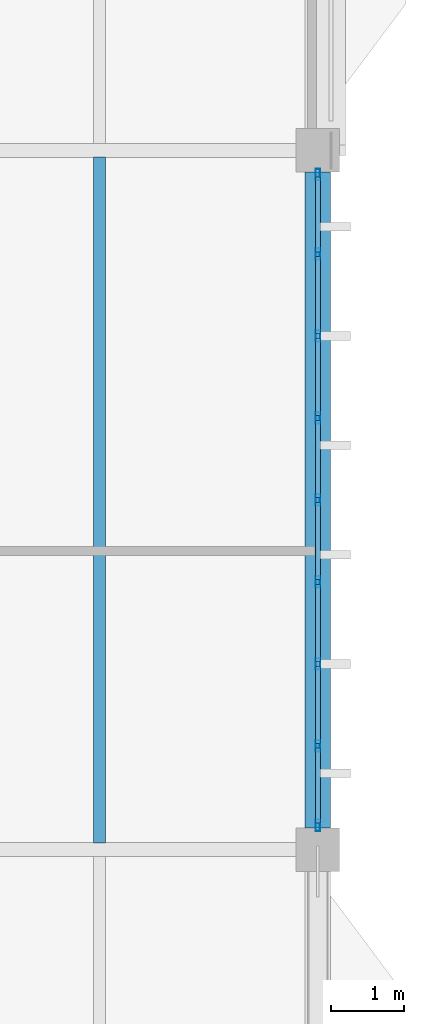
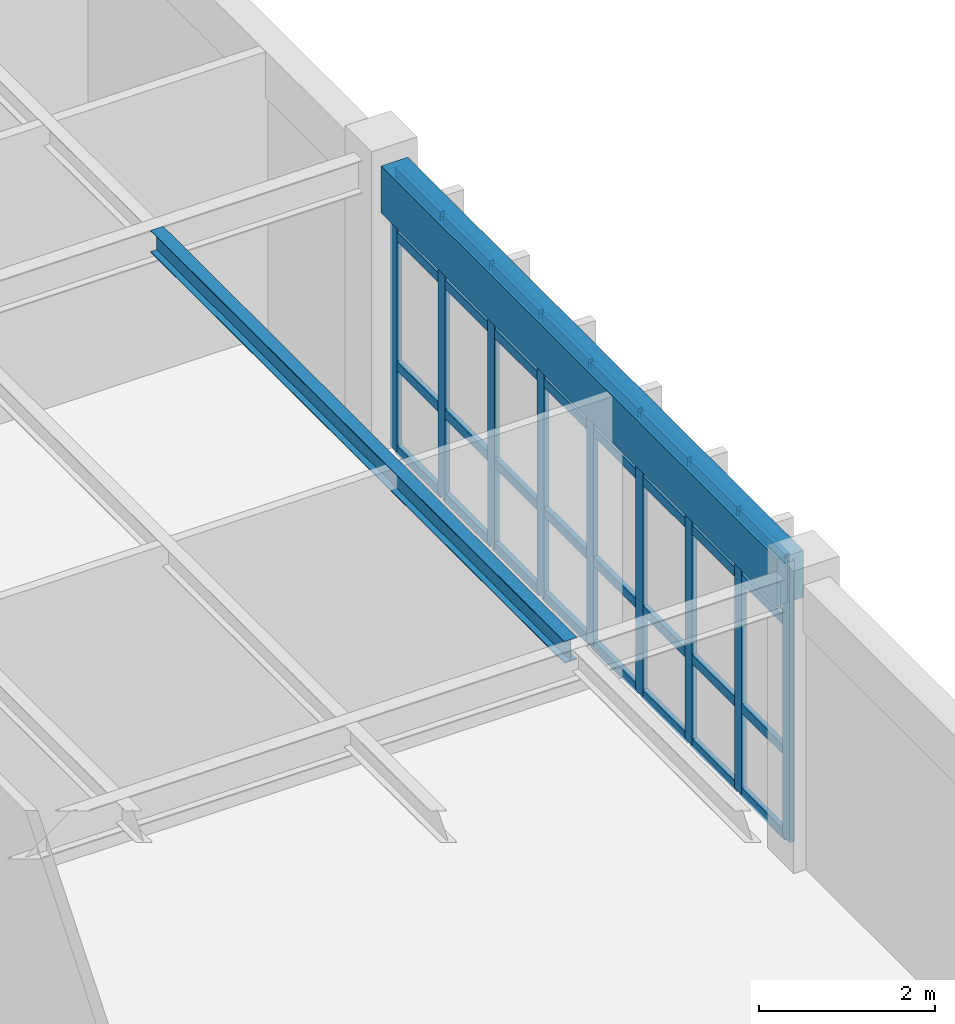
# One storey, part 14 of 37: 41 members, 2 beams, 1 element without a shape of its own.
"""IFC4 building model written with IfcOpenShell, lengths in metres."""

from ifc_helpers import new_model, si_unit, direction, frame, origin, origin_2d, place, context, subcontext, project, spatial, rectangle, hollow_rectangle, i_section, extrude, material, layer, layer_set, material_profile, profile_set, type_object, element, aggregate, save


model = new_model("IFC4")

# Units and contexts
model_context = context("Model", 3, precision=1e-05, world=origin(), true_north=direction((0.0, 1.0)))
body_context = subcontext(model_context, "Body", "Model", "MODEL_VIEW")
ifc_project = project(units=[si_unit("LENGTHUNIT", "METRE"), si_unit("AREAUNIT", "SQUARE_METRE"), si_unit("VOLUMEUNIT", "CUBIC_METRE"), si_unit("PLANEANGLEUNIT", "RADIAN"), si_unit("MASSUNIT", "GRAM", prefix="KILO")], contexts=[model_context])

# Site, building, storey
site_placement = place(None, origin())
site = spatial("IfcSite", under=ifc_project, at=site_placement, CompositionType="ELEMENT")
building_placement = place(site_placement, origin())
building = spatial("IfcBuilding", under=site, at=building_placement, Name="Pandanus Reach Market Hall", CompositionType="ELEMENT")
storey_placement = place(building_placement, frame((0.0, 0.0, 14.39990234375)))
storey = spatial("IfcBuildingStorey", under=building, at=storey_placement, Name="L03", CompositionType="ELEMENT", Elevation=14.39990234375)

# Beam
ifc_material_1 = material(Name="Concrete N40 (40 MPa)", Category="concrete")
ifc_material_profile_1 = material_profile(ifc_material_1, rectangle(XDim=0.35009765625, YDim=0.64990234375, at=origin_2d()), Name="RC350x650", Category="LoadBearing")
ifc_profile_set_1 = profile_set([ifc_material_profile_1], Name="Concrete N40 (40 MPa)")
beam_type_1 = type_object("IfcBeamType", Name="BM-RC350-E", PredefinedType="SPANDREL", material=ifc_profile_set_1)
beam_1_placement = place(storey_placement, frame((180.0, 48.298095703125, 3.635009765625), z_axis=(0.0, 1.0, 0.0), x_axis=(-1.0, 0.0, 0.0)))
element("IfcBeam", 1, at=beam_1_placement, inside=storey, type_object=beam_type_1, Name="Framing beam BM-RC350-E L03.571", PredefinedType="SPANDREL", context=body_context, shape_type="SweptSolid", body=[
    extrude(rectangle(XDim=0.35009765625, YDim=0.64990234375, at=origin_2d()), origin(), (0.0, 0.0, 1.0), 9.00390625),
])

# Curtain wall, members
ifc_material_2 = material(Name="Bronze anodised aluminium and low-E glass", Category="aluminium")
ifc_layer = layer(ifc_material_2, 0.159912109375, Name="CW-34")
ifc_layer_set = layer_set([ifc_layer], Name="Bronze anodised aluminium and low-E glass")
curtain_wall_type = type_object("IfcCurtainWallType", Name="CW-34", PredefinedType="NOTDEFINED", material=ifc_layer_set)
curtain_wall_placement = place(storey_placement, origin())
curtain_wall = element("IfcCurtainWall", 2, at=curtain_wall_placement, inside=storey, type_object=curtain_wall_type, Name="Glazed curtain wall CW-34 CW-0121", PredefinedType="NOTDEFINED")
ifc_material_3 = material(Name="Bronze anodised aluminium", Category="aluminium")
ifc_material_profile_2 = material_profile(ifc_material_3, hollow_rectangle(XDim=0.06494140625, YDim=0.159912109375, WallThickness=0.00390625, at=origin_2d()), Name="ALU65x160", Category="LoadBearing")
ifc_profile_set_2 = profile_set([ifc_material_profile_2], Name="Bronze anodised aluminium")
member_type_1 = type_object("IfcMemberType", Name="CW-M1", PredefinedType="MULLION", material=ifc_profile_set_2)
member_1_placement = place(storey_placement, frame((180.0, 48.33251953125, 0.0), z_axis=(0.0, 0.0, 1.0), x_axis=(-1.0, 0.0, 0.0)))
member_1 = element("IfcMember", 3, at=member_1_placement, type_object=member_type_1, Name="CW-34 mullion 1", PredefinedType="MULLION", context=body_context, shape_type="SweptSolid", body=[
    extrude(hollow_rectangle(XDim=0.06494140625, YDim=0.159912109375, WallThickness=0.00390625, at=origin_2d()), origin(), (0.0, 0.0, 1.0), 3.900146484375),
])
member_2_placement = place(storey_placement, frame((180.0, 49.425048828125, 0.0), z_axis=(0.0, 0.0, 1.0), x_axis=(-1.0, 0.0, 0.0)))
member_2 = element("IfcMember", 4, at=member_2_placement, type_object=member_type_1, Name="CW-34 mullion 2", PredefinedType="MULLION", context=body_context, shape_type="SweptSolid", body=[
    extrude(hollow_rectangle(XDim=0.06494140625, YDim=0.159912109375, WallThickness=0.00390625, at=origin_2d()), origin(), (0.0, 0.0, 1.0), 3.900146484375),
])
member_3_placement = place(storey_placement, frame((180.0, 50.550048828125, 0.0), z_axis=(0.0, 0.0, 1.0), x_axis=(-1.0, 0.0, 0.0)))
member_3 = element("IfcMember", 5, at=member_3_placement, type_object=member_type_1, Name="CW-34 mullion 3", PredefinedType="MULLION", context=body_context, shape_type="SweptSolid", body=[
    extrude(hollow_rectangle(XDim=0.06494140625, YDim=0.159912109375, WallThickness=0.00390625, at=origin_2d()), origin(), (0.0, 0.0, 1.0), 3.900146484375),
])
member_4_placement = place(storey_placement, frame((180.0, 51.675048828125, 0.0), z_axis=(0.0, 0.0, 1.0), x_axis=(-1.0, 0.0, 0.0)))
member_4 = element("IfcMember", 6, at=member_4_placement, type_object=member_type_1, Name="CW-34 mullion 4", PredefinedType="MULLION", context=body_context, shape_type="SweptSolid", body=[
    extrude(hollow_rectangle(XDim=0.06494140625, YDim=0.159912109375, WallThickness=0.00390625, at=origin_2d()), origin(), (0.0, 0.0, 1.0), 3.900146484375),
])
member_5_placement = place(storey_placement, frame((180.0, 52.800048828125, 0.0), z_axis=(0.0, 0.0, 1.0), x_axis=(-1.0, 0.0, 0.0)))
member_5 = element("IfcMember", 7, at=member_5_placement, type_object=member_type_1, Name="CW-34 mullion 5", PredefinedType="MULLION", context=body_context, shape_type="SweptSolid", body=[
    extrude(hollow_rectangle(XDim=0.06494140625, YDim=0.159912109375, WallThickness=0.00390625, at=origin_2d()), origin(), (0.0, 0.0, 1.0), 3.900146484375),
])
member_6_placement = place(storey_placement, frame((180.0, 53.925048828125, 0.0), z_axis=(0.0, 0.0, 1.0), x_axis=(-1.0, 0.0, 0.0)))
member_6 = element("IfcMember", 8, at=member_6_placement, type_object=member_type_1, Name="CW-34 mullion 6", PredefinedType="MULLION", context=body_context, shape_type="SweptSolid", body=[
    extrude(hollow_rectangle(XDim=0.06494140625, YDim=0.159912109375, WallThickness=0.00390625, at=origin_2d()), origin(), (0.0, 0.0, 1.0), 3.900146484375),
])
member_7_placement = place(storey_placement, frame((180.0, 55.050048828125, 0.0), z_axis=(0.0, 0.0, 1.0), x_axis=(-1.0, 0.0, 0.0)))
member_7 = element("IfcMember", 9, at=member_7_placement, type_object=member_type_1, Name="CW-34 mullion 7", PredefinedType="MULLION", context=body_context, shape_type="SweptSolid", body=[
    extrude(hollow_rectangle(XDim=0.06494140625, YDim=0.159912109375, WallThickness=0.00390625, at=origin_2d()), origin(), (0.0, 0.0, 1.0), 3.900146484375),
])
member_8_placement = place(storey_placement, frame((180.0, 56.175048828125, 0.0), z_axis=(0.0, 0.0, 1.0), x_axis=(-1.0, 0.0, 0.0)))
member_8 = element("IfcMember", 10, at=member_8_placement, type_object=member_type_1, Name="CW-34 mullion 8", PredefinedType="MULLION", context=body_context, shape_type="SweptSolid", body=[
    extrude(hollow_rectangle(XDim=0.06494140625, YDim=0.159912109375, WallThickness=0.00390625, at=origin_2d()), origin(), (0.0, 0.0, 1.0), 3.900146484375),
])
member_9_placement = place(storey_placement, frame((180.0, 57.267578125, 0.0), z_axis=(0.0, 0.0, 1.0), x_axis=(-1.0, 0.0, 0.0)))
member_9 = element("IfcMember", 11, at=member_9_placement, type_object=member_type_1, Name="CW-34 mullion 9", PredefinedType="MULLION", context=body_context, shape_type="SweptSolid", body=[
    extrude(hollow_rectangle(XDim=0.06494140625, YDim=0.159912109375, WallThickness=0.00390625, at=origin_2d()), origin(), (0.0, 0.0, 1.0), 3.900146484375),
])
ifc_material_profile_3 = material_profile(ifc_material_3, hollow_rectangle(XDim=0.06494140625, YDim=0.1298828125, WallThickness=0.00390625, at=origin_2d()), Name="ALU65x130", Category="LoadBearing")
ifc_profile_set_3 = profile_set([ifc_material_profile_3], Name="Bronze anodised aluminium")
member_type_2 = type_object("IfcMemberType", Name="CW-T1", PredefinedType="USERDEFINED", material=ifc_profile_set_3)
member_10_placement = place(storey_placement, frame((180.0, 48.364990234375, 0.03271484375), z_axis=(0.0, 1.0, 0.0), x_axis=(-1.0, 0.0, 0.0)))
member_10 = element("IfcMember", 12, at=member_10_placement, type_object=member_type_2, Name="CW-34 transom 1.1", ObjectType="TRANSOM", PredefinedType="USERDEFINED", context=body_context, shape_type="SweptSolid", body=[
    extrude(hollow_rectangle(XDim=0.06494140625, YDim=0.1298828125, WallThickness=0.00390625, at=origin_2d()), origin(), (0.0, 0.0, 1.0), 1.027587890625),
])
member_11_placement = place(storey_placement, frame((180.0, 48.364990234375, 1.2001953125), z_axis=(0.0, 1.0, 0.0), x_axis=(-1.0, 0.0, 0.0)))
member_11 = element("IfcMember", 13, at=member_11_placement, type_object=member_type_2, Name="CW-34 transom 1.2", ObjectType="TRANSOM", PredefinedType="USERDEFINED", context=body_context, shape_type="SweptSolid", body=[
    extrude(hollow_rectangle(XDim=0.06494140625, YDim=0.1298828125, WallThickness=0.00390625, at=origin_2d()), origin(), (0.0, 0.0, 1.0), 1.027587890625),
])
member_12_placement = place(storey_placement, frame((180.0, 48.364990234375, 3.0), z_axis=(0.0, 1.0, 0.0), x_axis=(-1.0, 0.0, 0.0)))
member_12 = element("IfcMember", 14, at=member_12_placement, type_object=member_type_2, Name="CW-34 transom 1.3", ObjectType="TRANSOM", PredefinedType="USERDEFINED", context=body_context, shape_type="SweptSolid", body=[
    extrude(hollow_rectangle(XDim=0.06494140625, YDim=0.1298828125, WallThickness=0.00390625, at=origin_2d()), origin(), (0.0, 0.0, 1.0), 1.027587890625),
])
member_13_placement = place(storey_placement, frame((180.0, 48.364990234375, 3.86767578125), z_axis=(0.0, 1.0, 0.0), x_axis=(-1.0, 0.0, 0.0)))
member_13 = element("IfcMember", 15, at=member_13_placement, type_object=member_type_2, Name="CW-34 transom 1.4", ObjectType="TRANSOM", PredefinedType="USERDEFINED", context=body_context, shape_type="SweptSolid", body=[
    extrude(hollow_rectangle(XDim=0.06494140625, YDim=0.1298828125, WallThickness=0.00390625, at=origin_2d()), origin(), (0.0, 0.0, 1.0), 1.027587890625),
])
member_14_placement = place(storey_placement, frame((180.0, 49.45751953125, 0.03271484375), z_axis=(0.0, 1.0, 0.0), x_axis=(-1.0, 0.0, 0.0)))
member_14 = element("IfcMember", 16, at=member_14_placement, type_object=member_type_2, Name="CW-34 transom 2.1", ObjectType="TRANSOM", PredefinedType="USERDEFINED", context=body_context, shape_type="SweptSolid", body=[
    extrude(hollow_rectangle(XDim=0.06494140625, YDim=0.1298828125, WallThickness=0.00390625, at=origin_2d()), origin(), (0.0, 0.0, 1.0), 1.06005859375),
])
member_15_placement = place(storey_placement, frame((180.0, 49.45751953125, 1.2001953125), z_axis=(0.0, 1.0, 0.0), x_axis=(-1.0, 0.0, 0.0)))
member_15 = element("IfcMember", 17, at=member_15_placement, type_object=member_type_2, Name="CW-34 transom 2.2", ObjectType="TRANSOM", PredefinedType="USERDEFINED", context=body_context, shape_type="SweptSolid", body=[
    extrude(hollow_rectangle(XDim=0.06494140625, YDim=0.1298828125, WallThickness=0.00390625, at=origin_2d()), origin(), (0.0, 0.0, 1.0), 1.06005859375),
])
member_16_placement = place(storey_placement, frame((180.0, 49.45751953125, 3.0), z_axis=(0.0, 1.0, 0.0), x_axis=(-1.0, 0.0, 0.0)))
member_16 = element("IfcMember", 18, at=member_16_placement, type_object=member_type_2, Name="CW-34 transom 2.3", ObjectType="TRANSOM", PredefinedType="USERDEFINED", context=body_context, shape_type="SweptSolid", body=[
    extrude(hollow_rectangle(XDim=0.06494140625, YDim=0.1298828125, WallThickness=0.00390625, at=origin_2d()), origin(), (0.0, 0.0, 1.0), 1.06005859375),
])
member_17_placement = place(storey_placement, frame((180.0, 49.45751953125, 3.86767578125), z_axis=(0.0, 1.0, 0.0), x_axis=(-1.0, 0.0, 0.0)))
member_17 = element("IfcMember", 19, at=member_17_placement, type_object=member_type_2, Name="CW-34 transom 2.4", ObjectType="TRANSOM", PredefinedType="USERDEFINED", context=body_context, shape_type="SweptSolid", body=[
    extrude(hollow_rectangle(XDim=0.06494140625, YDim=0.1298828125, WallThickness=0.00390625, at=origin_2d()), origin(), (0.0, 0.0, 1.0), 1.06005859375),
])
member_18_placement = place(storey_placement, frame((180.0, 50.58251953125, 0.03271484375), z_axis=(0.0, 1.0, 0.0), x_axis=(-1.0, 0.0, 0.0)))
member_18 = element("IfcMember", 20, at=member_18_placement, type_object=member_type_2, Name="CW-34 transom 3.1", ObjectType="TRANSOM", PredefinedType="USERDEFINED", context=body_context, shape_type="SweptSolid", body=[
    extrude(hollow_rectangle(XDim=0.06494140625, YDim=0.1298828125, WallThickness=0.00390625, at=origin_2d()), origin(), (0.0, 0.0, 1.0), 1.06005859375),
])
member_19_placement = place(storey_placement, frame((180.0, 50.58251953125, 1.2001953125), z_axis=(0.0, 1.0, 0.0), x_axis=(-1.0, 0.0, 0.0)))
member_19 = element("IfcMember", 21, at=member_19_placement, type_object=member_type_2, Name="CW-34 transom 3.2", ObjectType="TRANSOM", PredefinedType="USERDEFINED", context=body_context, shape_type="SweptSolid", body=[
    extrude(hollow_rectangle(XDim=0.06494140625, YDim=0.1298828125, WallThickness=0.00390625, at=origin_2d()), origin(), (0.0, 0.0, 1.0), 1.06005859375),
])
member_20_placement = place(storey_placement, frame((180.0, 50.58251953125, 3.0), z_axis=(0.0, 1.0, 0.0), x_axis=(-1.0, 0.0, 0.0)))
member_20 = element("IfcMember", 22, at=member_20_placement, type_object=member_type_2, Name="CW-34 transom 3.3", ObjectType="TRANSOM", PredefinedType="USERDEFINED", context=body_context, shape_type="SweptSolid", body=[
    extrude(hollow_rectangle(XDim=0.06494140625, YDim=0.1298828125, WallThickness=0.00390625, at=origin_2d()), origin(), (0.0, 0.0, 1.0), 1.06005859375),
])
member_21_placement = place(storey_placement, frame((180.0, 50.58251953125, 3.86767578125), z_axis=(0.0, 1.0, 0.0), x_axis=(-1.0, 0.0, 0.0)))
member_21 = element("IfcMember", 23, at=member_21_placement, type_object=member_type_2, Name="CW-34 transom 3.4", ObjectType="TRANSOM", PredefinedType="USERDEFINED", context=body_context, shape_type="SweptSolid", body=[
    extrude(hollow_rectangle(XDim=0.06494140625, YDim=0.1298828125, WallThickness=0.00390625, at=origin_2d()), origin(), (0.0, 0.0, 1.0), 1.06005859375),
])
member_22_placement = place(storey_placement, frame((180.0, 51.70751953125, 0.03271484375), z_axis=(0.0, 1.0, 0.0), x_axis=(-1.0, 0.0, 0.0)))
member_22 = element("IfcMember", 24, at=member_22_placement, type_object=member_type_2, Name="CW-34 transom 4.1", ObjectType="TRANSOM", PredefinedType="USERDEFINED", context=body_context, shape_type="SweptSolid", body=[
    extrude(hollow_rectangle(XDim=0.06494140625, YDim=0.1298828125, WallThickness=0.00390625, at=origin_2d()), origin(), (0.0, 0.0, 1.0), 1.06005859375),
])
member_23_placement = place(storey_placement, frame((180.0, 51.70751953125, 1.2001953125), z_axis=(0.0, 1.0, 0.0), x_axis=(-1.0, 0.0, 0.0)))
member_23 = element("IfcMember", 25, at=member_23_placement, type_object=member_type_2, Name="CW-34 transom 4.2", ObjectType="TRANSOM", PredefinedType="USERDEFINED", context=body_context, shape_type="SweptSolid", body=[
    extrude(hollow_rectangle(XDim=0.06494140625, YDim=0.1298828125, WallThickness=0.00390625, at=origin_2d()), origin(), (0.0, 0.0, 1.0), 1.06005859375),
])
member_24_placement = place(storey_placement, frame((180.0, 51.70751953125, 3.0), z_axis=(0.0, 1.0, 0.0), x_axis=(-1.0, 0.0, 0.0)))
member_24 = element("IfcMember", 26, at=member_24_placement, type_object=member_type_2, Name="CW-34 transom 4.3", ObjectType="TRANSOM", PredefinedType="USERDEFINED", context=body_context, shape_type="SweptSolid", body=[
    extrude(hollow_rectangle(XDim=0.06494140625, YDim=0.1298828125, WallThickness=0.00390625, at=origin_2d()), origin(), (0.0, 0.0, 1.0), 1.06005859375),
])
member_25_placement = place(storey_placement, frame((180.0, 51.70751953125, 3.86767578125), z_axis=(0.0, 1.0, 0.0), x_axis=(-1.0, 0.0, 0.0)))
member_25 = element("IfcMember", 27, at=member_25_placement, type_object=member_type_2, Name="CW-34 transom 4.4", ObjectType="TRANSOM", PredefinedType="USERDEFINED", context=body_context, shape_type="SweptSolid", body=[
    extrude(hollow_rectangle(XDim=0.06494140625, YDim=0.1298828125, WallThickness=0.00390625, at=origin_2d()), origin(), (0.0, 0.0, 1.0), 1.06005859375),
])
member_26_placement = place(storey_placement, frame((180.0, 52.83251953125, 0.03271484375), z_axis=(0.0, 1.0, 0.0), x_axis=(-1.0, 0.0, 0.0)))
member_26 = element("IfcMember", 28, at=member_26_placement, type_object=member_type_2, Name="CW-34 transom 5.1", ObjectType="TRANSOM", PredefinedType="USERDEFINED", context=body_context, shape_type="SweptSolid", body=[
    extrude(hollow_rectangle(XDim=0.06494140625, YDim=0.1298828125, WallThickness=0.00390625, at=origin_2d()), origin(), (0.0, 0.0, 1.0), 1.06005859375),
])
member_27_placement = place(storey_placement, frame((180.0, 52.83251953125, 1.2001953125), z_axis=(0.0, 1.0, 0.0), x_axis=(-1.0, 0.0, 0.0)))
member_27 = element("IfcMember", 29, at=member_27_placement, type_object=member_type_2, Name="CW-34 transom 5.2", ObjectType="TRANSOM", PredefinedType="USERDEFINED", context=body_context, shape_type="SweptSolid", body=[
    extrude(hollow_rectangle(XDim=0.06494140625, YDim=0.1298828125, WallThickness=0.00390625, at=origin_2d()), origin(), (0.0, 0.0, 1.0), 1.06005859375),
])
member_28_placement = place(storey_placement, frame((180.0, 52.83251953125, 3.0), z_axis=(0.0, 1.0, 0.0), x_axis=(-1.0, 0.0, 0.0)))
member_28 = element("IfcMember", 30, at=member_28_placement, type_object=member_type_2, Name="CW-34 transom 5.3", ObjectType="TRANSOM", PredefinedType="USERDEFINED", context=body_context, shape_type="SweptSolid", body=[
    extrude(hollow_rectangle(XDim=0.06494140625, YDim=0.1298828125, WallThickness=0.00390625, at=origin_2d()), origin(), (0.0, 0.0, 1.0), 1.06005859375),
])
member_29_placement = place(storey_placement, frame((180.0, 52.83251953125, 3.86767578125), z_axis=(0.0, 1.0, 0.0), x_axis=(-1.0, 0.0, 0.0)))
member_29 = element("IfcMember", 31, at=member_29_placement, type_object=member_type_2, Name="CW-34 transom 5.4", ObjectType="TRANSOM", PredefinedType="USERDEFINED", context=body_context, shape_type="SweptSolid", body=[
    extrude(hollow_rectangle(XDim=0.06494140625, YDim=0.1298828125, WallThickness=0.00390625, at=origin_2d()), origin(), (0.0, 0.0, 1.0), 1.06005859375),
])
member_30_placement = place(storey_placement, frame((180.0, 53.95751953125, 0.03271484375), z_axis=(0.0, 1.0, 0.0), x_axis=(-1.0, 0.0, 0.0)))
member_30 = element("IfcMember", 32, at=member_30_placement, type_object=member_type_2, Name="CW-34 transom 6.1", ObjectType="TRANSOM", PredefinedType="USERDEFINED", context=body_context, shape_type="SweptSolid", body=[
    extrude(hollow_rectangle(XDim=0.06494140625, YDim=0.1298828125, WallThickness=0.00390625, at=origin_2d()), origin(), (0.0, 0.0, 1.0), 1.06005859375),
])
member_31_placement = place(storey_placement, frame((180.0, 53.95751953125, 1.2001953125), z_axis=(0.0, 1.0, 0.0), x_axis=(-1.0, 0.0, 0.0)))
member_31 = element("IfcMember", 33, at=member_31_placement, type_object=member_type_2, Name="CW-34 transom 6.2", ObjectType="TRANSOM", PredefinedType="USERDEFINED", context=body_context, shape_type="SweptSolid", body=[
    extrude(hollow_rectangle(XDim=0.06494140625, YDim=0.1298828125, WallThickness=0.00390625, at=origin_2d()), origin(), (0.0, 0.0, 1.0), 1.06005859375),
])
member_32_placement = place(storey_placement, frame((180.0, 53.95751953125, 3.0), z_axis=(0.0, 1.0, 0.0), x_axis=(-1.0, 0.0, 0.0)))
member_32 = element("IfcMember", 34, at=member_32_placement, type_object=member_type_2, Name="CW-34 transom 6.3", ObjectType="TRANSOM", PredefinedType="USERDEFINED", context=body_context, shape_type="SweptSolid", body=[
    extrude(hollow_rectangle(XDim=0.06494140625, YDim=0.1298828125, WallThickness=0.00390625, at=origin_2d()), origin(), (0.0, 0.0, 1.0), 1.06005859375),
])
member_33_placement = place(storey_placement, frame((180.0, 53.95751953125, 3.86767578125), z_axis=(0.0, 1.0, 0.0), x_axis=(-1.0, 0.0, 0.0)))
member_33 = element("IfcMember", 35, at=member_33_placement, type_object=member_type_2, Name="CW-34 transom 6.4", ObjectType="TRANSOM", PredefinedType="USERDEFINED", context=body_context, shape_type="SweptSolid", body=[
    extrude(hollow_rectangle(XDim=0.06494140625, YDim=0.1298828125, WallThickness=0.00390625, at=origin_2d()), origin(), (0.0, 0.0, 1.0), 1.06005859375),
])
member_34_placement = place(storey_placement, frame((180.0, 55.08251953125, 0.03271484375), z_axis=(0.0, 1.0, 0.0), x_axis=(-1.0, 0.0, 0.0)))
member_34 = element("IfcMember", 36, at=member_34_placement, type_object=member_type_2, Name="CW-34 transom 7.1", ObjectType="TRANSOM", PredefinedType="USERDEFINED", context=body_context, shape_type="SweptSolid", body=[
    extrude(hollow_rectangle(XDim=0.06494140625, YDim=0.1298828125, WallThickness=0.00390625, at=origin_2d()), origin(), (0.0, 0.0, 1.0), 1.06005859375),
])
member_35_placement = place(storey_placement, frame((180.0, 55.08251953125, 1.2001953125), z_axis=(0.0, 1.0, 0.0), x_axis=(-1.0, 0.0, 0.0)))
member_35 = element("IfcMember", 37, at=member_35_placement, type_object=member_type_2, Name="CW-34 transom 7.2", ObjectType="TRANSOM", PredefinedType="USERDEFINED", context=body_context, shape_type="SweptSolid", body=[
    extrude(hollow_rectangle(XDim=0.06494140625, YDim=0.1298828125, WallThickness=0.00390625, at=origin_2d()), origin(), (0.0, 0.0, 1.0), 1.06005859375),
])
member_36_placement = place(storey_placement, frame((180.0, 55.08251953125, 3.0), z_axis=(0.0, 1.0, 0.0), x_axis=(-1.0, 0.0, 0.0)))
member_36 = element("IfcMember", 38, at=member_36_placement, type_object=member_type_2, Name="CW-34 transom 7.3", ObjectType="TRANSOM", PredefinedType="USERDEFINED", context=body_context, shape_type="SweptSolid", body=[
    extrude(hollow_rectangle(XDim=0.06494140625, YDim=0.1298828125, WallThickness=0.00390625, at=origin_2d()), origin(), (0.0, 0.0, 1.0), 1.06005859375),
])
member_37_placement = place(storey_placement, frame((180.0, 55.08251953125, 3.86767578125), z_axis=(0.0, 1.0, 0.0), x_axis=(-1.0, 0.0, 0.0)))
member_37 = element("IfcMember", 39, at=member_37_placement, type_object=member_type_2, Name="CW-34 transom 7.4", ObjectType="TRANSOM", PredefinedType="USERDEFINED", context=body_context, shape_type="SweptSolid", body=[
    extrude(hollow_rectangle(XDim=0.06494140625, YDim=0.1298828125, WallThickness=0.00390625, at=origin_2d()), origin(), (0.0, 0.0, 1.0), 1.06005859375),
])
member_38_placement = place(storey_placement, frame((180.0, 56.20751953125, 0.03271484375), z_axis=(0.0, 1.0, 0.0), x_axis=(-1.0, 0.0, 0.0)))
member_38 = element("IfcMember", 40, at=member_38_placement, type_object=member_type_2, Name="CW-34 transom 8.1", ObjectType="TRANSOM", PredefinedType="USERDEFINED", context=body_context, shape_type="SweptSolid", body=[
    extrude(hollow_rectangle(XDim=0.06494140625, YDim=0.1298828125, WallThickness=0.00390625, at=origin_2d()), origin(), (0.0, 0.0, 1.0), 1.027587890625),
])
member_39_placement = place(storey_placement, frame((180.0, 56.20751953125, 1.2001953125), z_axis=(0.0, 1.0, 0.0), x_axis=(-1.0, 0.0, 0.0)))
member_39 = element("IfcMember", 41, at=member_39_placement, type_object=member_type_2, Name="CW-34 transom 8.2", ObjectType="TRANSOM", PredefinedType="USERDEFINED", context=body_context, shape_type="SweptSolid", body=[
    extrude(hollow_rectangle(XDim=0.06494140625, YDim=0.1298828125, WallThickness=0.00390625, at=origin_2d()), origin(), (0.0, 0.0, 1.0), 1.027587890625),
])
member_40_placement = place(storey_placement, frame((180.0, 56.20751953125, 3.0), z_axis=(0.0, 1.0, 0.0), x_axis=(-1.0, 0.0, 0.0)))
member_40 = element("IfcMember", 42, at=member_40_placement, type_object=member_type_2, Name="CW-34 transom 8.3", ObjectType="TRANSOM", PredefinedType="USERDEFINED", context=body_context, shape_type="SweptSolid", body=[
    extrude(hollow_rectangle(XDim=0.06494140625, YDim=0.1298828125, WallThickness=0.00390625, at=origin_2d()), origin(), (0.0, 0.0, 1.0), 1.027587890625),
])
member_41_placement = place(storey_placement, frame((180.0, 56.20751953125, 3.86767578125), z_axis=(0.0, 1.0, 0.0), x_axis=(-1.0, 0.0, 0.0)))
member_41 = element("IfcMember", 43, at=member_41_placement, type_object=member_type_2, Name="CW-34 transom 8.4", ObjectType="TRANSOM", PredefinedType="USERDEFINED", context=body_context, shape_type="SweptSolid", body=[
    extrude(hollow_rectangle(XDim=0.06494140625, YDim=0.1298828125, WallThickness=0.00390625, at=origin_2d()), origin(), (0.0, 0.0, 1.0), 1.027587890625),
])
aggregate(curtain_wall, [member_1, member_2, member_3, member_4, member_5, member_6, member_7, member_8, member_9, member_10, member_11, member_12, member_13, member_14, member_15, member_16, member_17, member_18, member_19, member_20, member_21, member_22, member_23, member_24, member_25, member_26, member_27, member_28, member_29, member_30, member_31, member_32, member_33, member_34, member_35, member_36, member_37, member_38, member_39, member_40, member_41])

# Beam
ifc_material_4 = material(Name="Steel Grade 350 (350 MPa)", Category="steel")
ifc_material_profile_4 = material_profile(ifc_material_4, i_section(OverallWidth=0.1650390625, OverallDepth=0.303955078125, WebThickness=0.006103515625, FlangeThickness=0.01025390625, at=origin_2d()), Name="310UB40.4", Category="LoadBearing")
ifc_profile_set_4 = profile_set([ifc_material_profile_4], Name="Steel Grade 350 (350 MPa)")
beam_type_2 = type_object("IfcBeamType", Name="JS-UB310-I", PredefinedType="JOIST", material=ifc_profile_set_4)
beam_2_placement = place(storey_placement, frame((177.0, 48.093017578125, 3.8076171875), z_axis=(0.0, 1.0, 0.0), x_axis=(-1.0, 0.0, 0.0)))
element("IfcBeam", 44, at=beam_2_placement, inside=storey, type_object=beam_type_2, Name="Secondary joist JS-UB310-I L03.606", PredefinedType="JOIST", context=body_context, shape_type="SweptSolid", body=[
    extrude(i_section(OverallWidth=0.1650390625, OverallDepth=0.303955078125, WebThickness=0.006103515625, FlangeThickness=0.01025390625, at=origin_2d()), origin(), (0.0, 0.0, 1.0), 9.4140625),
])

save(model, "model.ifc")
